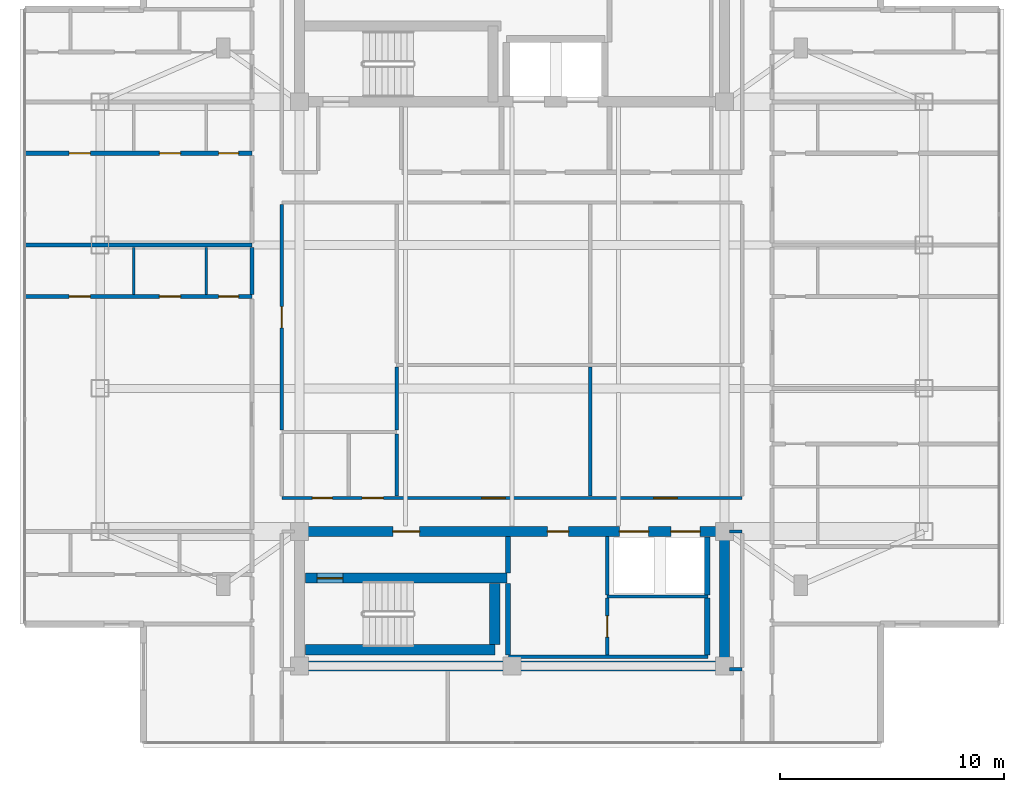
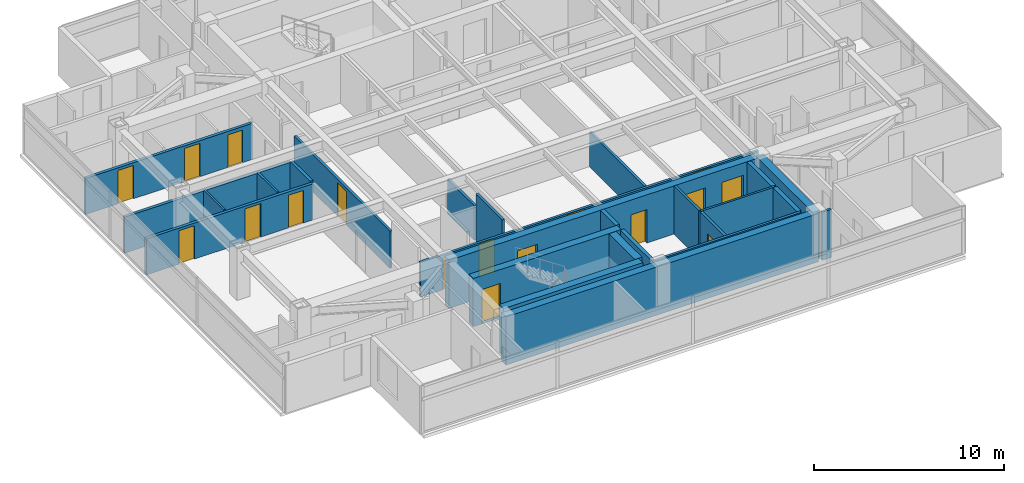
# One storey, part 8 of 14: 27 walls, 17 doors, 17 openings.
"""IFC4 building model written with IfcOpenShell, lengths in metres."""

from ifc_helpers import new_model, si_unit, direction, frame, frame_2d, origin, place, context, subcontext, project, spatial, rectangle, extrude, material, layer, layer_set, type_object, element, fill, save


model = new_model("IFC4")

# Units and contexts
model_context = context("Model", 3, precision=1e-05, world=origin(), true_north=direction((0.0, 1.0)))
body_context = subcontext(model_context, "Body", "Model", "MODEL_VIEW")
ifc_project = project(units=[si_unit("LENGTHUNIT", "METRE"), si_unit("AREAUNIT", "SQUARE_METRE"), si_unit("VOLUMEUNIT", "CUBIC_METRE"), si_unit("PLANEANGLEUNIT", "RADIAN"), si_unit("MASSUNIT", "GRAM", prefix="KILO")], contexts=[model_context])

# Site, building, storey
site_placement = place(None, origin())
site = spatial("IfcSite", under=ifc_project, at=site_placement, CompositionType="ELEMENT")
building_placement = place(site_placement, origin())
building = spatial("IfcBuilding", under=site, at=building_placement, Name="Mirazonda Arch Towers", CompositionType="ELEMENT")
storey_placement = place(building_placement, frame((0.0, 0.0, 239.199951171875)))
storey = spatial("IfcBuildingStorey", under=building, at=storey_placement, Name="L68", CompositionType="ELEMENT", Elevation=239.199951171875)

# Walls
ifc_material_1 = material(Name="Concrete C50/60", Category="concrete")
ifc_layer_1 = layer(ifc_material_1, 0.449951171875, Name="WALL-CORE-450")
ifc_layer_set_1 = layer_set([ifc_layer_1], Name="Concrete C50/60")
wall_type_1 = type_object("IfcWallType", Name="WALL-CORE-450", PredefinedType="SHEAR", material=ifc_layer_set_1)
wall_1_placement = place(storey_placement, frame((11.0, 12.39990234375, 0.0), z_axis=(0.0, 0.0, 1.0), x_axis=(1.0, 0.0, 0.0)))
element("IfcWall", 1, at=wall_1_placement, inside=storey, type_object=wall_type_1, Name="L68 T1S-S Core Shear Wall", PredefinedType="SHEAR", context=body_context, shape_type="SweptSolid", body=[
    extrude(rectangle(XDim=19.0, YDim=0.449951171875, at=frame_2d((9.5, 0.0))), origin(), (0.0, 0.0, 1.0), 3.10009765625),
])
wall_2_placement = place(storey_placement, frame((30.0, 12.39990234375, 0.0), z_axis=(0.0, 0.0, 1.0), x_axis=(0.0, 1.0, 0.0)))
element("IfcWall", 2, at=wall_2_placement, inside=storey, type_object=wall_type_1, Name="L68 T1S-E Core Shear Wall", PredefinedType="SHEAR", context=body_context, shape_type="SweptSolid", body=[
    extrude(rectangle(XDim=6.0, YDim=0.449951171875, at=frame_2d((3.0, 0.0))), origin(), (0.0, 0.0, 1.0), 3.10009765625),
])

# Wall, openings, doors
wall_3_placement = place(storey_placement, frame((11.0, 18.39990234375, 0.0), z_axis=(0.0, 0.0, 1.0), x_axis=(1.0, 0.0, 0.0)))
wall_3 = element("IfcWall", 3, at=wall_3_placement, inside=storey, type_object=wall_type_1, Name="L68 T1S-N Core Shear Wall", PredefinedType="SHEAR", context=body_context, shape_type="SweptSolid", body=[
    extrude(rectangle(XDim=19.0, YDim=0.449951171875, at=frame_2d((9.5, 0.0))), origin(), (0.0, 0.0, 1.0), 3.10009765625),
])
opening_1_placement = place(wall_3_placement, frame((4.175048828125, 0.0, 0.0)))
opening_1 = element("IfcOpeningElement", 4, at=opening_1_placement, cuts=wall_3, Name="Opening DR-117", PredefinedType="OPENING", context=body_context, shape_type="SweptSolid", body=[
    extrude(rectangle(XDim=1.199951171875, YDim=2.25, at=frame_2d((0.60009765625, 1.125))), frame((0.0, 0.23486328125, 0.0), z_axis=(0.0, -1.0, 0.0), x_axis=(1.0, 0.0, 0.0)), (0.0, 0.0, 1.0), 0.469970703125),
])
opening_2_placement = place(wall_3_placement, frame((11.074951171875, 0.0, 0.0)))
opening_2 = element("IfcOpeningElement", 5, at=opening_2_placement, cuts=wall_3, Name="Opening DR-104", PredefinedType="OPENING", context=body_context, shape_type="SweptSolid", body=[
    extrude(rectangle(XDim=0.949951171875, YDim=2.14990234375, at=frame_2d((0.47509765625, 1.074951171875))), frame((0.0, 0.23486328125, 0.0), z_axis=(0.0, -1.0, 0.0), x_axis=(1.0, 0.0, 0.0)), (0.0, 0.0, 1.0), 0.469970703125),
])
opening_3_placement = place(wall_3_placement, frame((14.300048828125, 0.0, 0.0)))
opening_3 = element("IfcOpeningElement", 6, at=opening_3_placement, cuts=wall_3, Name="Opening LD-111", PredefinedType="OPENING", context=body_context, shape_type="SweptSolid", body=[
    extrude(rectangle(XDim=1.300048828125, YDim=2.300048828125, at=frame_2d((0.64990234375, 1.14990234375))), frame((0.0, 0.23486328125, 0.0), z_axis=(0.0, -1.0, 0.0), x_axis=(1.0, 0.0, 0.0)), (0.0, 0.0, 1.0), 0.469970703125),
])
opening_4_placement = place(wall_3_placement, frame((16.60009765625, 0.0, 0.0)))
opening_4 = element("IfcOpeningElement", 7, at=opening_4_placement, cuts=wall_3, Name="Opening LD-111", PredefinedType="OPENING", context=body_context, shape_type="SweptSolid", body=[
    extrude(rectangle(XDim=1.300048828125, YDim=2.300048828125, at=frame_2d((0.64990234375, 1.14990234375))), frame((0.0, 0.23486328125, 0.0), z_axis=(0.0, -1.0, 0.0), x_axis=(1.0, 0.0, 0.0)), (0.0, 0.0, 1.0), 0.469970703125),
])
ifc_material_2 = material(Name="Architectural Brushed Steel S355", Category="steel")
door_type_1 = type_object("IfcDoorType", Name="DOOR-FFL-FD90-1200", OperationType="NOTDEFINED", PredefinedType="DOOR", material=ifc_material_2)
door_1_placement = place(opening_1_placement, origin())
door_1 = element("IfcDoor", 8, at=door_1_placement, inside=storey, type_object=door_type_1, Name="L68 South Core Stair & Lift Lobby Door", OperationType="SINGLE_SWING_RIGHT", OverallHeight=2.25, OverallWidth=1.199951171875, PredefinedType="DOOR", context=body_context, shape_type="SweptSolid", body=[
    extrude(rectangle(XDim=1.199951171875, YDim=2.25, at=frame_2d((0.60009765625, 1.125))), frame((0.0, 0.02490234375, 0.0), z_axis=(0.0, -1.0, 0.0), x_axis=(1.0, 0.0, 0.0)), (0.0, 0.0, 1.0), 0.050048828125),
])
fill(opening_1, door_1)
door_type_2 = type_object("IfcDoorType", Name="DOOR-LIFT-LAND-1300", OperationType="NOTDEFINED", PredefinedType="DOOR", material=ifc_material_2)
door_2_placement = place(opening_3_placement, origin())
door_2 = element("IfcDoor", 9, at=door_2_placement, inside=storey, type_object=door_type_2, Name="L68 Lift Landing Sliding Door PL-T1H1", OperationType="DOUBLE_DOOR_SLIDING", OverallHeight=2.300048828125, OverallWidth=1.300048828125, PredefinedType="DOOR", context=body_context, shape_type="SweptSolid", body=[
    extrude(rectangle(XDim=1.300048828125, YDim=2.300048828125, at=frame_2d((0.64990234375, 1.14990234375))), frame((0.0, 0.02490234375, 0.0), z_axis=(0.0, -1.0, 0.0), x_axis=(1.0, 0.0, 0.0)), (0.0, 0.0, 1.0), 0.050048828125),
])
fill(opening_3, door_2)
door_3_placement = place(opening_4_placement, origin())
door_3 = element("IfcDoor", 10, at=door_3_placement, inside=storey, type_object=door_type_2, Name="L68 Lift Landing Sliding Door PL-T1H2", OperationType="DOUBLE_DOOR_SLIDING", OverallHeight=2.300048828125, OverallWidth=1.300048828125, PredefinedType="DOOR", context=body_context, shape_type="SweptSolid", body=[
    extrude(rectangle(XDim=1.300048828125, YDim=2.300048828125, at=frame_2d((0.64990234375, 1.14990234375))), frame((0.0, 0.02490234375, 0.0), z_axis=(0.0, -1.0, 0.0), x_axis=(1.0, 0.0, 0.0)), (0.0, 0.0, 1.0), 0.050048828125),
])
fill(opening_4, door_3)
door_type_3 = type_object("IfcDoorType", Name="DOOR-ROOM-950", OperationType="NOTDEFINED", PredefinedType="DOOR", material=ifc_material_2)
door_4_placement = place(opening_2_placement, origin())
door_4 = element("IfcDoor", 11, at=door_4_placement, inside=storey, type_object=door_type_3, Name="L68 Residents Wine Tasting Lounge Door", OperationType="SINGLE_SWING_RIGHT", OverallHeight=2.14990234375, OverallWidth=0.949951171875, PredefinedType="DOOR", context=body_context, shape_type="SweptSolid", body=[
    extrude(rectangle(XDim=0.949951171875, YDim=2.14990234375, at=frame_2d((0.47509765625, 1.074951171875))), frame((0.0, 0.02490234375, 0.0), z_axis=(0.0, -1.0, 0.0), x_axis=(1.0, 0.0, 0.0)), (0.0, 0.0, 1.0), 0.050048828125),
])
fill(opening_2, door_4)

# Wall
wall_4_placement = place(storey_placement, frame((11.27001953125, 13.1201171875, 0.0), z_axis=(0.0, 0.0, 1.0), x_axis=(1.0, 0.0, 0.0)))
element("IfcWall", 12, at=wall_4_placement, inside=storey, type_object=wall_type_1, Name="L68 Stair Core Shear Wall 004", PredefinedType="SHEAR", context=body_context, shape_type="SweptSolid", body=[
    extrude(rectangle(XDim=8.4599609375, YDim=0.449951171875, at=frame_2d((4.22998046875, 0.0))), origin(), (0.0, 0.0, 1.0), 3.10009765625),
])

# Wall, opening, door
wall_5_placement = place(storey_placement, frame((11.27001953125, 16.320068359375, 0.0), z_axis=(0.0, 0.0, 1.0), x_axis=(1.0, 0.0, 0.0)))
wall_5 = element("IfcWall", 13, at=wall_5_placement, inside=storey, type_object=wall_type_1, Name="L68 Stair Core Shear Wall 008", PredefinedType="SHEAR", context=body_context, shape_type="SweptSolid", body=[
    extrude(rectangle(XDim=9.010009765625, YDim=0.449951171875, at=frame_2d((4.5048828125, 0.0))), origin(), (0.0, 0.0, 1.0), 3.10009765625),
])
opening_5_placement = place(wall_5_placement, frame((0.52001953125, 0.0, 0.0)))
opening_5 = element("IfcOpeningElement", 14, at=opening_5_placement, cuts=wall_5, Name="Opening DR-135", PredefinedType="OPENING", context=body_context, shape_type="SweptSolid", body=[
    extrude(rectangle(XDim=1.14990234375, YDim=2.199951171875, at=frame_2d((0.574951171875, 1.10009765625))), frame((0.0, 0.23486328125, 0.0), z_axis=(0.0, -1.0, 0.0), x_axis=(1.0, 0.0, 0.0)), (0.0, 0.0, 1.0), 0.469970703125),
])
door_type_4 = type_object("IfcDoorType", Name="DOOR-STAIR-FD90-1150", OperationType="NOTDEFINED", PredefinedType="DOOR", material=ifc_material_2)
door_5_placement = place(opening_5_placement, origin())
door_5 = element("IfcDoor", 15, at=door_5_placement, inside=storey, type_object=door_type_4, Name="L68 Protected Exit Stair South Door", OperationType="SINGLE_SWING_LEFT", OverallHeight=2.199951171875, OverallWidth=1.14990234375, PredefinedType="DOOR", context=body_context, shape_type="SweptSolid", body=[
    extrude(rectangle(XDim=1.14990234375, YDim=2.199951171875, at=frame_2d((0.574951171875, 1.10009765625))), frame((0.0, 0.02490234375, 0.0), z_axis=(0.0, -1.0, 0.0), x_axis=(1.0, 0.0, 0.0)), (0.0, 0.0, 1.0), 0.050048828125),
])
fill(opening_5, door_5)

# Walls
wall_6_placement = place(storey_placement, frame((19.72998046875, 13.35498046875, 0.0), z_axis=(0.0, 0.0, 1.0), x_axis=(0.0, 1.0, 0.0)))
element("IfcWall", 16, at=wall_6_placement, inside=storey, type_object=wall_type_1, Name="L68 Stair Core Shear Wall 070", PredefinedType="SHEAR", context=body_context, shape_type="SweptSolid", body=[
    extrude(rectangle(XDim=2.72998046875, YDim=0.449951171875, at=frame_2d((1.364990234375, 0.0))), origin(), (0.0, 0.0, 1.0), 3.10009765625),
])
ifc_material_3 = material(Name="Concrete C40/50", Category="concrete")
ifc_layer_2 = layer(ifc_material_3, 0.219970703125, Name="WALL-FFL-220")
ifc_layer_set_2 = layer_set([ifc_layer_2], Name="Concrete C40/50")
wall_type_2 = type_object("IfcWallType", Name="WALL-FFL-220", PredefinedType="SOLIDWALL", material=ifc_layer_set_2)
wall_7_placement = place(storey_placement, frame((20.31494140625, 12.885009765625, 0.0), z_axis=(0.0, 0.0, 1.0), x_axis=(0.0, 1.0, 0.0)))
element("IfcWall", 17, at=wall_7_placement, inside=storey, type_object=wall_type_2, Name="L68 Interior Partition 072", PredefinedType="SOLIDWALL", context=body_context, shape_type="SweptSolid", body=[
    extrude(rectangle(XDim=3.199951171875, YDim=0.219970703125, at=frame_2d((1.60009765625, 0.0))), origin(), (0.0, 0.0, 1.0), 3.10009765625),
])
wall_8_placement = place(storey_placement, frame((20.31494140625, 16.554931640625, 0.0), z_axis=(0.0, 0.0, 1.0), x_axis=(0.0, 1.0, 0.0)))
element("IfcWall", 18, at=wall_8_placement, inside=storey, type_object=wall_type_2, Name="L68 Interior Partition 073", PredefinedType="SOLIDWALL", context=body_context, shape_type="SweptSolid", body=[
    extrude(rectangle(XDim=1.625, YDim=0.219970703125, at=frame_2d((0.8125, 0.0))), origin(), (0.0, 0.0, 1.0), 3.10009765625),
])
ifc_material_4 = material(Name="Fire-Rated Gypsum Stud Partition")
ifc_layer_3 = layer(ifc_material_4, 0.14990234375, Name="WALL-PART-CORR-150")
ifc_layer_set_3 = layer_set([ifc_layer_3], Name="Fire-Rated Gypsum Stud Partition")
wall_type_3 = type_object("IfcWallType", Name="WALL-PART-CORR-150", PredefinedType="PARTITIONING", material=ifc_layer_set_3)
wall_9_placement = place(storey_placement, frame((30.219970703125, 12.25, 0.0), z_axis=(0.0, 0.0, 1.0), x_axis=(1.0, 0.0, 0.0)))
element("IfcWall", 19, at=wall_9_placement, inside=storey, type_object=wall_type_3, Name="L68 Interior Partition 002", PredefinedType="PARTITIONING", context=body_context, shape_type="SweptSolid", body=[
    extrude(rectangle(XDim=0.56005859375, YDim=0.14990234375, at=frame_2d((0.280029296875, 0.0))), origin(), (0.0, 0.0, 1.0), 3.10009765625),
])
wall_10_placement = place(storey_placement, frame((20.35009765625, 12.800048828125, 0.0), z_axis=(0.0, 0.0, 1.0), x_axis=(1.0, 0.0, 0.0)))
element("IfcWall", 20, at=wall_10_placement, inside=storey, type_object=wall_type_3, Name="L68 Interior Partition 003", PredefinedType="PARTITIONING", context=body_context, shape_type="SweptSolid", body=[
    extrude(rectangle(XDim=8.89990234375, YDim=0.14990234375, at=frame_2d((4.449951171875, 0.0))), origin(), (0.0, 0.0, 1.0), 3.10009765625),
])
wall_11_placement = place(storey_placement, frame((30.219970703125, 18.39990234375, 0.0), z_axis=(0.0, 0.0, 1.0), x_axis=(1.0, 0.0, 0.0)))
element("IfcWall", 21, at=wall_11_placement, inside=storey, type_object=wall_type_3, Name="L68 Interior Partition 013", PredefinedType="PARTITIONING", context=body_context, shape_type="SweptSolid", body=[
    extrude(rectangle(XDim=0.56005859375, YDim=0.14990234375, at=frame_2d((0.280029296875, 0.0))), origin(), (0.0, 0.0, 1.0), 2.491943359375),
])

# Wall, openings, doors
wall_12_placement = place(storey_placement, frame((10.219970703125, 19.89990234375, 0.0), z_axis=(0.0, 0.0, 1.0), x_axis=(1.0, 0.0, 0.0)))
wall_12 = element("IfcWall", 22, at=wall_12_placement, inside=storey, type_object=wall_type_3, Name="L68 Interior Partition 014", PredefinedType="PARTITIONING", context=body_context, shape_type="SweptSolid", body=[
    extrude(rectangle(XDim=20.56005859375, YDim=0.14990234375, at=frame_2d((10.280029296875, 0.0))), origin(), (0.0, 0.0, 1.0), 2.236083984375),
])
opening_6_placement = place(wall_12_placement, frame((1.360107421875, 0.0, 0.0)))
opening_6 = element("IfcOpeningElement", 23, at=opening_6_placement, cuts=wall_12, Name="Opening DR-120", PredefinedType="OPENING", context=body_context, shape_type="SweptSolid", body=[
    extrude(rectangle(XDim=0.89990234375, YDim=2.10009765625, at=frame_2d((0.449951171875, 1.050048828125))), frame((0.0, 0.0849609375, 0.0), z_axis=(0.0, -1.0, 0.0), x_axis=(1.0, 0.0, 0.0)), (0.0, 0.0, 1.0), 0.169921875),
])
opening_7_placement = place(wall_12_placement, frame((3.580078125, 0.0, 0.0)))
opening_7 = element("IfcOpeningElement", 24, at=opening_7_placement, cuts=wall_12, Name="Opening DR-104", PredefinedType="OPENING", context=body_context, shape_type="SweptSolid", body=[
    extrude(rectangle(XDim=0.949951171875, YDim=2.14990234375, at=frame_2d((0.47509765625, 1.074951171875))), frame((0.0, 0.0849609375, 0.0), z_axis=(0.0, -1.0, 0.0), x_axis=(1.0, 0.0, 0.0)), (0.0, 0.0, 1.0), 0.169921875),
])
opening_8_placement = place(wall_12_placement, frame((8.925537109375, 0.0, 0.0)))
opening_8 = element("IfcOpeningElement", 25, at=opening_8_placement, cuts=wall_12, Name="Opening DR-121", PredefinedType="OPENING", context=body_context, shape_type="SweptSolid", body=[
    extrude(rectangle(XDim=1.050048828125, YDim=2.199951171875, at=frame_2d((0.52490234375, 1.10009765625))), frame((0.0, 0.0849609375, 0.0), z_axis=(0.0, -1.0, 0.0), x_axis=(1.0, 0.0, 0.0)), (0.0, 0.0, 1.0), 0.169921875),
])
opening_9_placement = place(wall_12_placement, frame((16.62060546875, 0.0, 0.0)))
opening_9 = element("IfcOpeningElement", 26, at=opening_9_placement, cuts=wall_12, Name="Opening DR-121", PredefinedType="OPENING", context=body_context, shape_type="SweptSolid", body=[
    extrude(rectangle(XDim=1.050048828125, YDim=2.199951171875, at=frame_2d((0.52490234375, 1.10009765625))), frame((0.0, 0.0849609375, 0.0), z_axis=(0.0, -1.0, 0.0), x_axis=(1.0, 0.0, 0.0)), (0.0, 0.0, 1.0), 0.169921875),
])
door_6_placement = place(opening_7_placement, origin())
door_6 = element("IfcDoor", 27, at=door_6_placement, inside=storey, type_object=door_type_3, Name="L68 L68 West Courtyard Study Door", OperationType="SINGLE_SWING_RIGHT", OverallHeight=2.14990234375, OverallWidth=0.949951171875, PredefinedType="DOOR", context=body_context, shape_type="SweptSolid", body=[
    extrude(rectangle(XDim=0.949951171875, YDim=2.14990234375, at=frame_2d((0.47509765625, 1.074951171875))), frame((0.0, 0.02490234375, 0.0), z_axis=(0.0, -1.0, 0.0), x_axis=(1.0, 0.0, 0.0)), (0.0, 0.0, 1.0), 0.050048828125),
])
fill(opening_7, door_6)
door_type_5 = type_object("IfcDoorType", Name="DOOR-SUITE-FD60-1050", OperationType="NOTDEFINED", PredefinedType="DOOR", material=ifc_material_2)
door_7_placement = place(opening_8_placement, origin())
door_7 = element("IfcDoor", 28, at=door_7_placement, inside=storey, type_object=door_type_5, Name="L68 Residents Private Library Door", OperationType="SINGLE_SWING_RIGHT", OverallHeight=2.199951171875, OverallWidth=1.050048828125, PredefinedType="DOOR", context=body_context, shape_type="SweptSolid", body=[
    extrude(rectangle(XDim=1.050048828125, YDim=2.199951171875, at=frame_2d((0.52490234375, 1.10009765625))), frame((0.0, 0.02490234375, 0.0), z_axis=(0.0, -1.0, 0.0), x_axis=(1.0, 0.0, 0.0)), (0.0, 0.0, 1.0), 0.050048828125),
])
fill(opening_8, door_7)
door_8_placement = place(opening_9_placement, origin())
door_8 = element("IfcDoor", 29, at=door_8_placement, inside=storey, type_object=door_type_5, Name="L68 Chamber Music & Screening Salon Door", OperationType="SINGLE_SWING_LEFT", OverallHeight=2.199951171875, OverallWidth=1.050048828125, PredefinedType="DOOR", context=body_context, shape_type="SweptSolid", body=[
    extrude(rectangle(XDim=1.050048828125, YDim=2.199951171875, at=frame_2d((0.52490234375, 1.10009765625))), frame((0.0, 0.02490234375, 0.0), z_axis=(0.0, -1.0, 0.0), x_axis=(1.0, 0.0, 0.0)), (0.0, 0.0, 1.0), 0.050048828125),
])
fill(opening_9, door_8)
door_type_6 = type_object("IfcDoorType", Name="DOOR-WC-900", OperationType="NOTDEFINED", PredefinedType="DOOR", material=ifc_material_2)
door_9_placement = place(opening_6_placement, origin())
door_9 = element("IfcDoor", 30, at=door_9_placement, inside=storey, type_object=door_type_6, Name="L68 Common Accessible WC Door", OperationType="SINGLE_SWING_RIGHT", OverallHeight=2.10009765625, OverallWidth=0.89990234375, PredefinedType="DOOR", context=body_context, shape_type="SweptSolid", body=[
    extrude(rectangle(XDim=0.89990234375, YDim=2.10009765625, at=frame_2d((0.449951171875, 1.050048828125))), frame((0.0, 0.02490234375, 0.0), z_axis=(0.0, -1.0, 0.0), x_axis=(1.0, 0.0, 0.0)), (0.0, 0.0, 1.0), 0.050048828125),
])
fill(opening_6, door_9)

# Wall, opening, door
wall_13_placement = place(storey_placement, frame((10.219970703125, 22.93505859375, 0.0), z_axis=(0.0, 0.0, 1.0), x_axis=(0.0, 1.0, 0.0)))
wall_13 = element("IfcWall", 31, at=wall_13_placement, inside=storey, type_object=wall_type_3, Name="L68 Interior Partition 060", PredefinedType="PARTITIONING", context=body_context, shape_type="SweptSolid", body=[
    extrude(rectangle(XDim=10.079833984375, YDim=0.14990234375, at=frame_2d((5.0400390625, 0.0))), origin(), (0.0, 0.0, 1.0), 2.39599609375),
])
opening_10_placement = place(wall_13_placement, frame((4.56494140625, 0.0, 0.0)))
opening_10 = element("IfcOpeningElement", 32, at=opening_10_placement, cuts=wall_13, Name="Opening DR-104", PredefinedType="OPENING", context=body_context, shape_type="SweptSolid", body=[
    extrude(rectangle(XDim=0.949951171875, YDim=2.14990234375, at=frame_2d((0.47509765625, 1.074951171875))), frame((0.0, 0.0849609375, 0.0), z_axis=(0.0, -1.0, 0.0), x_axis=(1.0, 0.0, 0.0)), (0.0, 0.0, 1.0), 0.169921875),
])
door_10_placement = place(opening_10_placement, origin())
door_10 = element("IfcDoor", 33, at=door_10_placement, inside=storey, type_object=door_type_3, Name="L68 L68 West Courtyard Salon Door", OperationType="SINGLE_SWING_LEFT", OverallHeight=2.14990234375, OverallWidth=0.949951171875, PredefinedType="DOOR", context=body_context, shape_type="SweptSolid", body=[
    extrude(rectangle(XDim=0.949951171875, YDim=2.14990234375, at=frame_2d((0.47509765625, 1.074951171875))), frame((0.0, 0.02490234375, 0.0), z_axis=(0.0, -1.0, 0.0), x_axis=(1.0, 0.0, 0.0)), (0.0, 0.0, 1.0), 0.050048828125),
])
fill(opening_10, door_10)

# Walls
wall_14_placement = place(storey_placement, frame((15.35009765625, 19.985107421875, 0.0), z_axis=(0.0, 0.0, 1.0), x_axis=(0.0, 1.0, 0.0)))
element("IfcWall", 34, at=wall_14_placement, inside=storey, type_object=wall_type_3, Name="L68 Interior Partition 065", PredefinedType="PARTITIONING", context=body_context, shape_type="SweptSolid", body=[
    extrude(rectangle(XDim=2.77978515625, YDim=0.14990234375, at=frame_2d((1.389892578125, 0.0))), origin(), (0.0, 0.0, 1.0), 3.10009765625),
])
wall_15_placement = place(storey_placement, frame((15.35009765625, 22.93505859375, 0.0), z_axis=(0.0, 0.0, 1.0), x_axis=(0.0, 1.0, 0.0)))
element("IfcWall", 35, at=wall_15_placement, inside=storey, type_object=wall_type_3, Name="L68 Interior Partition 066", PredefinedType="PARTITIONING", context=body_context, shape_type="SweptSolid", body=[
    extrude(rectangle(XDim=2.81982421875, YDim=0.14990234375, at=frame_2d((1.409912109375, 0.0))), origin(), (0.0, 0.0, 1.0), 2.236083984375),
])
wall_16_placement = place(storey_placement, frame((23.990966796875, 19.985107421875, 0.0), z_axis=(0.0, 0.0, 1.0), x_axis=(0.0, 1.0, 0.0)))
element("IfcWall", 36, at=wall_16_placement, inside=storey, type_object=wall_type_3, Name="L68 Interior Partition 075", PredefinedType="PARTITIONING", context=body_context, shape_type="SweptSolid", body=[
    extrude(rectangle(XDim=5.769775390625, YDim=0.14990234375, at=frame_2d((2.884765625, 0.0))), origin(), (0.0, 0.0, 1.0), 2.236083984375),
])

# Wall, opening, door
wall_17_placement = place(storey_placement, frame((24.75, 12.885009765625, 0.0), z_axis=(0.0, 0.0, 1.0), x_axis=(0.0, 1.0, 0.0)))
wall_17 = element("IfcWall", 37, at=wall_17_placement, inside=storey, type_object=wall_type_3, Name="L68 Interior Partition 077", PredefinedType="PARTITIONING", context=body_context, shape_type="SweptSolid", body=[
    extrude(rectangle(XDim=2.54248046875, YDim=0.14990234375, at=frame_2d((1.271240234375, 0.0))), origin(), (0.0, 0.0, 1.0), 3.10009765625),
])
opening_11_placement = place(wall_17_placement, frame((0.79638671875, 0.0, 0.0)))
opening_11 = element("IfcOpeningElement", 38, at=opening_11_placement, cuts=wall_17, Name="Opening DR-104", PredefinedType="OPENING", context=body_context, shape_type="SweptSolid", body=[
    extrude(rectangle(XDim=0.949951171875, YDim=2.14990234375, at=frame_2d((0.47509765625, 1.074951171875))), frame((0.0, 0.0849609375, 0.0), z_axis=(0.0, -1.0, 0.0), x_axis=(1.0, 0.0, 0.0)), (0.0, 0.0, 1.0), 0.169921875),
])
door_11_placement = place(opening_11_placement, origin())
door_11 = element("IfcDoor", 39, at=door_11_placement, inside=storey, type_object=door_type_3, Name="L68 Residents Private Archive Study Door", OperationType="SINGLE_SWING_LEFT", OverallHeight=2.14990234375, OverallWidth=0.949951171875, PredefinedType="DOOR", context=body_context, shape_type="SweptSolid", body=[
    extrude(rectangle(XDim=0.949951171875, YDim=2.14990234375, at=frame_2d((0.47509765625, 1.074951171875))), frame((0.0, 0.02490234375, 0.0), z_axis=(0.0, -1.0, 0.0), x_axis=(1.0, 0.0, 0.0)), (0.0, 0.0, 1.0), 0.050048828125),
])
fill(opening_11, door_11)

# Wall
wall_18_placement = place(storey_placement, frame((24.75, 15.572509765625, 0.0), z_axis=(0.0, 0.0, 1.0), x_axis=(0.0, 1.0, 0.0)))
element("IfcWall", 40, at=wall_18_placement, inside=storey, type_object=wall_type_3, Name="L68 Interior Partition 078", PredefinedType="PARTITIONING", context=body_context, shape_type="SweptSolid", body=[
    extrude(rectangle(XDim=2.607421875, YDim=0.14990234375, at=frame_2d((1.3037109375, 0.0))), origin(), (0.0, 0.0, 1.0), 3.10009765625),
])

# Wall, openings, doors
ifc_material_5 = material(Name="Fire-Rated Gypsum Twin-Stud Assembly")
ifc_layer_4 = layer(ifc_material_5, 0.179931640625, Name="WALL-PART-DEMISE-180")
ifc_layer_set_4 = layer_set([ifc_layer_4], Name="Fire-Rated Gypsum Twin-Stud Assembly")
wall_type_4 = type_object("IfcWallType", Name="WALL-PART-DEMISE-180", PredefinedType="PARTITIONING", material=ifc_layer_set_4)
wall_19_placement = place(storey_placement, frame((-1.260009765625, 28.89990234375, 0.0), z_axis=(0.0, 0.0, 1.0), x_axis=(1.0, 0.0, 0.0)))
wall_19 = element("IfcWall", 41, at=wall_19_placement, inside=storey, type_object=wall_type_4, Name="L68 Interior Partition 020", PredefinedType="PARTITIONING", context=body_context, shape_type="SweptSolid", body=[
    extrude(rectangle(XDim=10.139892578125, YDim=0.179931640625, at=frame_2d((5.06982421875, 0.0))), origin(), (0.0, 0.0, 1.0), 2.319091796875),
])
opening_12_placement = place(wall_19_placement, frame((1.97509765625, 0.0, 0.0)))
opening_12 = element("IfcOpeningElement", 42, at=opening_12_placement, cuts=wall_19, Name="Opening DR-104", PredefinedType="OPENING", context=body_context, shape_type="SweptSolid", body=[
    extrude(rectangle(XDim=0.949951171875, YDim=2.14990234375, at=frame_2d((0.47509765625, 1.074951171875))), frame((0.0, 0.099853515625, 0.0), z_axis=(0.0, -1.0, 0.0), x_axis=(1.0, 0.0, 0.0)), (0.0, 0.0, 1.0), 0.199951171875),
])
opening_13_placement = place(wall_19_placement, frame((6.0048828125, 0.0, 0.0)))
opening_13 = element("IfcOpeningElement", 43, at=opening_13_placement, cuts=wall_19, Name="Opening DR-104", PredefinedType="OPENING", context=body_context, shape_type="SweptSolid", body=[
    extrude(rectangle(XDim=0.949951171875, YDim=2.14990234375, at=frame_2d((0.47509765625, 1.074951171875))), frame((0.0, 0.099853515625, 0.0), z_axis=(0.0, -1.0, 0.0), x_axis=(1.0, 0.0, 0.0)), (0.0, 0.0, 1.0), 0.199951171875),
])
opening_14_placement = place(wall_19_placement, frame((8.64990234375, 0.0, 0.0)))
opening_14 = element("IfcOpeningElement", 44, at=opening_14_placement, cuts=wall_19, Name="Opening DR-120", PredefinedType="OPENING", context=body_context, shape_type="SweptSolid", body=[
    extrude(rectangle(XDim=0.89990234375, YDim=2.10009765625, at=frame_2d((0.449951171875, 1.050048828125))), frame((0.0, 0.099853515625, 0.0), z_axis=(0.0, -1.0, 0.0), x_axis=(1.0, 0.0, 0.0)), (0.0, 0.0, 1.0), 0.199951171875),
])
door_12_placement = place(opening_12_placement, origin())
door_12 = element("IfcDoor", 45, at=door_12_placement, inside=storey, type_object=door_type_3, Name="L68 Residence 2 Principal Bedroom Door", OperationType="SINGLE_SWING_RIGHT", OverallHeight=2.14990234375, OverallWidth=0.949951171875, PredefinedType="DOOR", context=body_context, shape_type="SweptSolid", body=[
    extrude(rectangle(XDim=0.949951171875, YDim=2.14990234375, at=frame_2d((0.47509765625, 1.074951171875))), frame((0.0, 0.02490234375, 0.0), z_axis=(0.0, -1.0, 0.0), x_axis=(1.0, 0.0, 0.0)), (0.0, 0.0, 1.0), 0.050048828125),
])
fill(opening_12, door_12)
door_13_placement = place(opening_13_placement, origin())
door_13 = element("IfcDoor", 46, at=door_13_placement, inside=storey, type_object=door_type_3, Name="L68 Residence 2 Fitted Kitchen Door", OperationType="SINGLE_SWING_LEFT", OverallHeight=2.14990234375, OverallWidth=0.949951171875, PredefinedType="DOOR", context=body_context, shape_type="SweptSolid", body=[
    extrude(rectangle(XDim=0.949951171875, YDim=2.14990234375, at=frame_2d((0.47509765625, 1.074951171875))), frame((0.0, 0.02490234375, 0.0), z_axis=(0.0, -1.0, 0.0), x_axis=(1.0, 0.0, 0.0)), (0.0, 0.0, 1.0), 0.050048828125),
])
fill(opening_13, door_13)
door_14_placement = place(opening_14_placement, origin())
door_14 = element("IfcDoor", 47, at=door_14_placement, inside=storey, type_object=door_type_6, Name="L68 Residence 2 Bathroom Door", OperationType="SINGLE_SWING_RIGHT", OverallHeight=2.10009765625, OverallWidth=0.89990234375, PredefinedType="DOOR", context=body_context, shape_type="SweptSolid", body=[
    extrude(rectangle(XDim=0.89990234375, YDim=2.10009765625, at=frame_2d((0.449951171875, 1.050048828125))), frame((0.0, 0.02490234375, 0.0), z_axis=(0.0, -1.0, 0.0), x_axis=(1.0, 0.0, 0.0)), (0.0, 0.0, 1.0), 0.050048828125),
])
fill(opening_14, door_14)

# Wall
wall_20_placement = place(storey_placement, frame((-1.260009765625, 31.199951171875, 0.0), z_axis=(0.0, 0.0, 1.0), x_axis=(1.0, 0.0, 0.0)))
element("IfcWall", 48, at=wall_20_placement, inside=storey, type_object=wall_type_4, Name="L68 Interior Partition 022", PredefinedType="PARTITIONING", context=body_context, shape_type="SweptSolid", body=[
    extrude(rectangle(XDim=10.139892578125, YDim=0.179931640625, at=frame_2d((5.06982421875, 0.0))), origin(), (0.0, 0.0, 1.0), 2.319091796875),
])

# Wall, openings, doors
wall_21_placement = place(storey_placement, frame((-1.260009765625, 35.300048828125, 0.0), z_axis=(0.0, 0.0, 1.0), x_axis=(1.0, 0.0, 0.0)))
wall_21 = element("IfcWall", 49, at=wall_21_placement, inside=storey, type_object=wall_type_4, Name="L68 Interior Partition 027", PredefinedType="PARTITIONING", context=body_context, shape_type="SweptSolid", body=[
    extrude(rectangle(XDim=10.139892578125, YDim=0.179931640625, at=frame_2d((5.06982421875, 0.0))), origin(), (0.0, 0.0, 1.0), 2.319091796875),
])
opening_15_placement = place(wall_21_placement, frame((1.97509765625, 0.0, 0.0)))
opening_15 = element("IfcOpeningElement", 50, at=opening_15_placement, cuts=wall_21, Name="Opening DR-104", PredefinedType="OPENING", context=body_context, shape_type="SweptSolid", body=[
    extrude(rectangle(XDim=0.949951171875, YDim=2.14990234375, at=frame_2d((0.47509765625, 1.074951171875))), frame((0.0, 0.099853515625, 0.0), z_axis=(0.0, -1.0, 0.0), x_axis=(1.0, 0.0, 0.0)), (0.0, 0.0, 1.0), 0.199951171875),
])
opening_16_placement = place(wall_21_placement, frame((6.0048828125, 0.0, 0.0)))
opening_16 = element("IfcOpeningElement", 51, at=opening_16_placement, cuts=wall_21, Name="Opening DR-104", PredefinedType="OPENING", context=body_context, shape_type="SweptSolid", body=[
    extrude(rectangle(XDim=0.949951171875, YDim=2.14990234375, at=frame_2d((0.47509765625, 1.074951171875))), frame((0.0, 0.099853515625, 0.0), z_axis=(0.0, -1.0, 0.0), x_axis=(1.0, 0.0, 0.0)), (0.0, 0.0, 1.0), 0.199951171875),
])
opening_17_placement = place(wall_21_placement, frame((8.64990234375, 0.0, 0.0)))
opening_17 = element("IfcOpeningElement", 52, at=opening_17_placement, cuts=wall_21, Name="Opening DR-120", PredefinedType="OPENING", context=body_context, shape_type="SweptSolid", body=[
    extrude(rectangle(XDim=0.89990234375, YDim=2.10009765625, at=frame_2d((0.449951171875, 1.050048828125))), frame((0.0, 0.099853515625, 0.0), z_axis=(0.0, -1.0, 0.0), x_axis=(1.0, 0.0, 0.0)), (0.0, 0.0, 1.0), 0.199951171875),
])
door_15_placement = place(opening_15_placement, origin())
door_15 = element("IfcDoor", 53, at=door_15_placement, inside=storey, type_object=door_type_3, Name="L68 Residence 3 Principal Bedroom Door", OperationType="SINGLE_SWING_RIGHT", OverallHeight=2.14990234375, OverallWidth=0.949951171875, PredefinedType="DOOR", context=body_context, shape_type="SweptSolid", body=[
    extrude(rectangle(XDim=0.949951171875, YDim=2.14990234375, at=frame_2d((0.47509765625, 1.074951171875))), frame((0.0, 0.02490234375, 0.0), z_axis=(0.0, -1.0, 0.0), x_axis=(1.0, 0.0, 0.0)), (0.0, 0.0, 1.0), 0.050048828125),
])
fill(opening_15, door_15)
door_16_placement = place(opening_16_placement, origin())
door_16 = element("IfcDoor", 54, at=door_16_placement, inside=storey, type_object=door_type_3, Name="L68 Residence 3 Fitted Kitchen Door", OperationType="SINGLE_SWING_LEFT", OverallHeight=2.14990234375, OverallWidth=0.949951171875, PredefinedType="DOOR", context=body_context, shape_type="SweptSolid", body=[
    extrude(rectangle(XDim=0.949951171875, YDim=2.14990234375, at=frame_2d((0.47509765625, 1.074951171875))), frame((0.0, 0.02490234375, 0.0), z_axis=(0.0, -1.0, 0.0), x_axis=(1.0, 0.0, 0.0)), (0.0, 0.0, 1.0), 0.050048828125),
])
fill(opening_16, door_16)
door_17_placement = place(opening_17_placement, origin())
door_17 = element("IfcDoor", 55, at=door_17_placement, inside=storey, type_object=door_type_6, Name="L68 Residence 3 Bathroom Door", OperationType="SINGLE_SWING_RIGHT", OverallHeight=2.10009765625, OverallWidth=0.89990234375, PredefinedType="DOOR", context=body_context, shape_type="SweptSolid", body=[
    extrude(rectangle(XDim=0.89990234375, YDim=2.10009765625, at=frame_2d((0.449951171875, 1.050048828125))), frame((0.0, 0.02490234375, 0.0), z_axis=(0.0, -1.0, 0.0), x_axis=(1.0, 0.0, 0.0)), (0.0, 0.0, 1.0), 0.050048828125),
])
fill(opening_17, door_17)

# Walls
wall_22_placement = place(storey_placement, frame((8.8798828125, 29.0, 0.0), z_axis=(0.0, 0.0, 1.0), x_axis=(0.0, 1.0, 0.0)))
element("IfcWall", 56, at=wall_22_placement, inside=storey, type_object=wall_type_4, Name="L68 Interior Partition 051", PredefinedType="PARTITIONING", context=body_context, shape_type="SweptSolid", body=[
    extrude(rectangle(XDim=2.10009765625, YDim=0.179931640625, at=frame_2d((1.050048828125, 0.0))), origin(), (0.0, 0.0, 1.0), 2.39599609375),
])
ifc_material_6 = material(Name="Acoustic Fire-Rated Gypsum Partition")
ifc_layer_5 = layer(ifc_material_6, 0.125, Name="WALL-PART-UNIT-125")
ifc_layer_set_5 = layer_set([ifc_layer_5], Name="Acoustic Fire-Rated Gypsum Partition")
wall_type_5 = type_object("IfcWallType", Name="WALL-PART-UNIT-125", PredefinedType="PARTITIONING", material=ifc_layer_set_5)
wall_23_placement = place(storey_placement, frame((24.75, 15.5, 0.0), z_axis=(0.0, 0.0, 1.0), x_axis=(1.0, 0.0, 0.0)))
element("IfcWall", 57, at=wall_23_placement, inside=storey, type_object=wall_type_5, Name="L68 Interior Partition 007", PredefinedType="PARTITIONING", context=body_context, shape_type="SweptSolid", body=[
    extrude(rectangle(XDim=4.5, YDim=0.125, at=frame_2d((2.25, 0.0))), origin(), (0.0, 0.0, 1.0), 3.10009765625),
])
for number, where, z_axis, x_axis, name in (
    (58, (3.60009765625, 29.0, 0.0), (0.0, 0.0, 1.0), (0.0, 1.0, 0.0), "L68 Interior Partition 041"),
    (59, (6.840087890625, 29.0, 0.0), (0.0, 0.0, 1.0), (0.0, 1.0, 0.0), "L68 Interior Partition 045"),
):
    element("IfcWall", number, at=place(storey_placement, frame(where, z_axis=z_axis, x_axis=x_axis)), inside=storey, type_object=wall_type_5, Name=name, PredefinedType="PARTITIONING", context=body_context, shape_type="SweptSolid", body=[
        extrude(rectangle(XDim=2.10009765625, YDim=0.125, at=frame_2d((1.050048828125, 0.0))), origin(), (0.0, 0.0, 1.0), 2.39599609375),
    ])
ifc_layer_6 = layer(ifc_material_3, 0.25, Name="WALL-SHAFT-250")
ifc_layer_set_6 = layer_set([ifc_layer_6], Name="Concrete C40/50")
wall_type_6 = type_object("IfcWallType", Name="WALL-SHAFT-250", PredefinedType="SOLIDWALL", material=ifc_layer_set_6)
wall_24_placement = place(storey_placement, frame((29.22509765625, 12.885009765625, 0.0), z_axis=(0.0, 0.0, 1.0), x_axis=(0.0, 1.0, 0.0)))
element("IfcWall", 60, at=wall_24_placement, inside=storey, type_object=wall_type_6, Name="L68 Interior Partition 082", PredefinedType="SOLIDWALL", context=body_context, shape_type="SweptSolid", body=[
    extrude(rectangle(XDim=2.54248046875, YDim=0.25, at=frame_2d((1.271240234375, 0.0))), origin(), (0.0, 0.0, 1.0), 3.10009765625),
])
wall_25_placement = place(storey_placement, frame((29.22509765625, 15.572509765625, 0.0), z_axis=(0.0, 0.0, 1.0), x_axis=(0.0, 1.0, 0.0)))
element("IfcWall", 61, at=wall_25_placement, inside=storey, type_object=wall_type_6, Name="L68 Interior Partition 083", PredefinedType="SOLIDWALL", context=body_context, shape_type="SweptSolid", body=[
    extrude(rectangle(XDim=2.577392578125, YDim=0.25, at=frame_2d((1.28857421875, 0.0))), origin(), (0.0, 0.0, 1.0), 3.10009765625),
])

save(model, "model.ifc")
